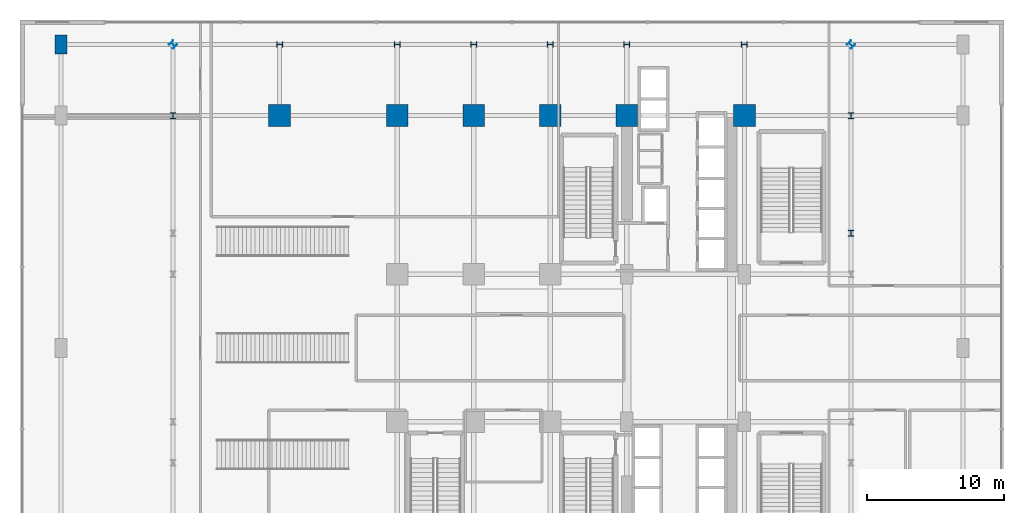
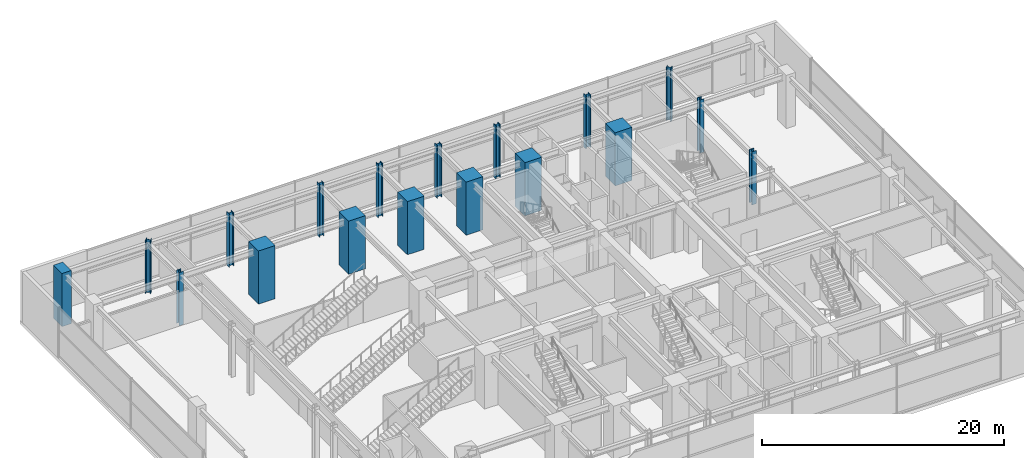
# One storey, part 2 of 34: 18 columns.
"""IFC4 building model written with IfcOpenShell, lengths in metres."""

from ifc_helpers import new_model, si_unit, direction, frame, origin, origin_2d, place, context, subcontext, project, spatial, rectangle, i_section, extrude, source, transform, mapped, material, material_profile, profile_set, type_object, element, save


model = new_model("IFC4")

# Units and contexts
model_context = context("Model", 3, precision=1e-05, world=origin(), true_north=direction((0.0, 1.0)))
body_context = subcontext(model_context, "Body", "Model", "MODEL_VIEW")
ifc_project = project(units=[si_unit("LENGTHUNIT", "METRE"), si_unit("AREAUNIT", "SQUARE_METRE"), si_unit("VOLUMEUNIT", "CUBIC_METRE"), si_unit("PLANEANGLEUNIT", "RADIAN"), si_unit("MASSUNIT", "GRAM", prefix="KILO")], contexts=[model_context])

# Site, building, storey
site_placement = place(None, origin())
site = spatial("IfcSite", under=ifc_project, at=site_placement, CompositionType="ELEMENT")
building_placement = place(site_placement, origin())
building = spatial("IfcBuilding", under=site, at=building_placement, Name="Nahalor Promenade Grand Hotel", CompositionType="ELEMENT")
storey_placement = place(building_placement, frame((0.0, 0.0, 16.199951171875)))
storey = spatial("IfcBuildingStorey", under=building, at=storey_placement, Name="L03", CompositionType="ELEMENT", Elevation=16.199951171875)

# Columns
ifc_material_1 = material(Name="Concrete B-70 (C60/75)", Category="concrete")
ifc_material_profile_1 = material_profile(ifc_material_1, rectangle(XDim=1.6, YDim=1.6, at=origin_2d()), Name="RC 1600x1600")
ifc_profile_set_1 = profile_set([ifc_material_profile_1], Name="Concrete B-70 (C60/75)")
column_type_1 = type_object("IfcColumnType", Name="Col-RC-1600", PredefinedType="COLUMN", material=ifc_profile_set_1)
shared_shape_1 = source(origin(), body_context, "Body", "SweptSolid", [
    extrude(rectangle(XDim=1.6, YDim=1.6, at=origin_2d()), origin(), (0.0, 0.0, 1.0), 5.35498046875),
])
for number, where, z_axis, x_axis, name in (
    (1, (-17.0, 17.0, 0.0), (0.0, 0.0, 1.0), (1.0, 0.0, 0.0), "COL-L03-I03"),
    (2, (-8.39990234375, 17.0, 0.0), (0.0, 0.0, 1.0), (1.0, 0.0, 0.0), "COL-L03-I13"),
    (3, (-2.800048828125, 17.0, 0.0), (0.0, 0.0, 1.0), (1.0, 0.0, 0.0), "COL-L03-I23"),
    (4, (2.800048828125, 17.0, 0.0), (0.0, 0.0, 1.0), (1.0, 0.0, 0.0), "COL-L03-I33"),
    (5, (8.39990234375, 17.0, 0.0), (0.0, 0.0, 1.0), (1.0, 0.0, 0.0), "COL-L03-I43"),
    (6, (17.0, 17.0, 0.0), (0.0, 0.0, 1.0), (1.0, 0.0, 0.0), "COL-L03-I53"),
):
    element("IfcColumn", number, at=place(storey_placement, frame(where, z_axis=z_axis, x_axis=x_axis)), inside=storey, type_object=column_type_1, Name=name, PredefinedType="COLUMN", context=body_context, shape_type="MappedRepresentation", body=[
        mapped(shared_shape_1, transform((0.0, 0.0, 0.0), scale=1.0)),
    ])
ifc_material_2 = material(Name="Concrete B-60 (C50/60)", Category="concrete")
ifc_material_profile_2 = material_profile(ifc_material_2, rectangle(XDim=0.9, YDim=1.4, at=origin_2d()), Name="RC 900x1400")
ifc_profile_set_2 = profile_set([ifc_material_profile_2], Name="Concrete B-60 (C50/60)")
column_type_2 = type_object("IfcColumnType", Name="Col-Pilaster-1400", PredefinedType="PILASTER", material=ifc_profile_set_2)
shared_shape_2 = source(origin(), body_context, "Body", "SweptSolid", [
    extrude(rectangle(XDim=0.9, YDim=1.4, at=origin_2d()), origin(), (0.0, 0.0, 1.0), 5.35498046875),
])
column_placement = place(storey_placement, frame((-33.0, 22.199951171875, 0.0), z_axis=(0.0, 0.0, 1.0), x_axis=(1.0, 0.0, 0.0)))
element("IfcColumn", 7, at=column_placement, inside=storey, type_object=column_type_2, Name="COL-L03-PC-W4", PredefinedType="PILASTER", context=body_context, shape_type="MappedRepresentation", body=[
    mapped(shared_shape_2, transform((0.0, 0.0, 0.0), scale=1.0)),
])
ifc_material_3 = material(Name="Steel S355J2", Category="steel")
ifc_material_profile_3 = material_profile(ifc_material_3, i_section(OverallWidth=0.416, OverallDepth=0.446, WebThickness=0.025, FlangeThickness=0.04, at=origin_2d()), Name="HD 400x509")
ifc_profile_set_3 = profile_set([ifc_material_profile_3], Name="Steel S355J2")
column_type_3 = type_object("IfcColumnType", Name="Col-Steel-HD509", PredefinedType="COLUMN", material=ifc_profile_set_3)
shared_shape_3 = source(origin(), body_context, "Body", "SweptSolid", [
    extrude(i_section(OverallWidth=0.416, OverallDepth=0.446, WebThickness=0.025, FlangeThickness=0.04, at=origin_2d()), origin(), (0.0, 0.0, 1.0), 5.35498046875),
])
for number, where, z_axis, x_axis, name in (
    (8, (24.800048828125, 8.39990234375, 0.0), (0.0, 0.0, 1.0), (1.0, 0.0, 0.0), "COL-L03-PW-E4"),
    (9, (-24.800048828125, 17.0, 0.0), (0.0, 0.0, 1.0), (1.0, 0.0, 0.0), "COL-L03-PW-W5"),
    (10, (24.800048828125, 17.0, 0.0), (0.0, 0.0, 1.0), (1.0, 0.0, 0.0), "COL-L03-PW-E5"),
    (11, (-17.0, 22.199951171875, 0.0), (0.0, 0.0, 1.0), (0.0, 1.0, 0.0), "COL-L03-PN-N0"),
    (12, (-8.39990234375, 22.199951171875, 0.0), (0.0, 0.0, 1.0), (0.0, 1.0, 0.0), "COL-L03-PN-N1"),
    (13, (-2.800048828125, 22.199951171875, 0.0), (0.0, 0.0, 1.0), (0.0, 1.0, 0.0), "COL-L03-PN-N2"),
    (14, (2.800048828125, 22.199951171875, 0.0), (0.0, 0.0, 1.0), (0.0, 1.0, 0.0), "COL-L03-PN-N3"),
    (15, (8.39990234375, 22.199951171875, 0.0), (0.0, 0.0, 1.0), (0.0, 1.0, 0.0), "COL-L03-PN-N4"),
    (16, (17.0, 22.199951171875, 0.0), (0.0, 0.0, 1.0), (0.0, 1.0, 0.0), "COL-L03-PN-N5"),
    (17, (-24.800048828125, 22.199951171875, 0.0), (0.0, 0.0, 1.0), (0.707106781187, 0.707106781187, 0.0), "COL-L03-CRN-NW"),
    (18, (24.800048828125, 22.199951171875, 0.0), (0.0, 0.0, 1.0), (0.707106781187, 0.707106781187, 0.0), "COL-L03-CRN-NE"),
):
    element("IfcColumn", number, at=place(storey_placement, frame(where, z_axis=z_axis, x_axis=x_axis)), inside=storey, type_object=column_type_3, Name=name, PredefinedType="COLUMN", context=body_context, shape_type="MappedRepresentation", body=[
        mapped(shared_shape_3, transform((0.0, 0.0, 0.0), scale=1.0)),
    ])

save(model, "model.ifc")
